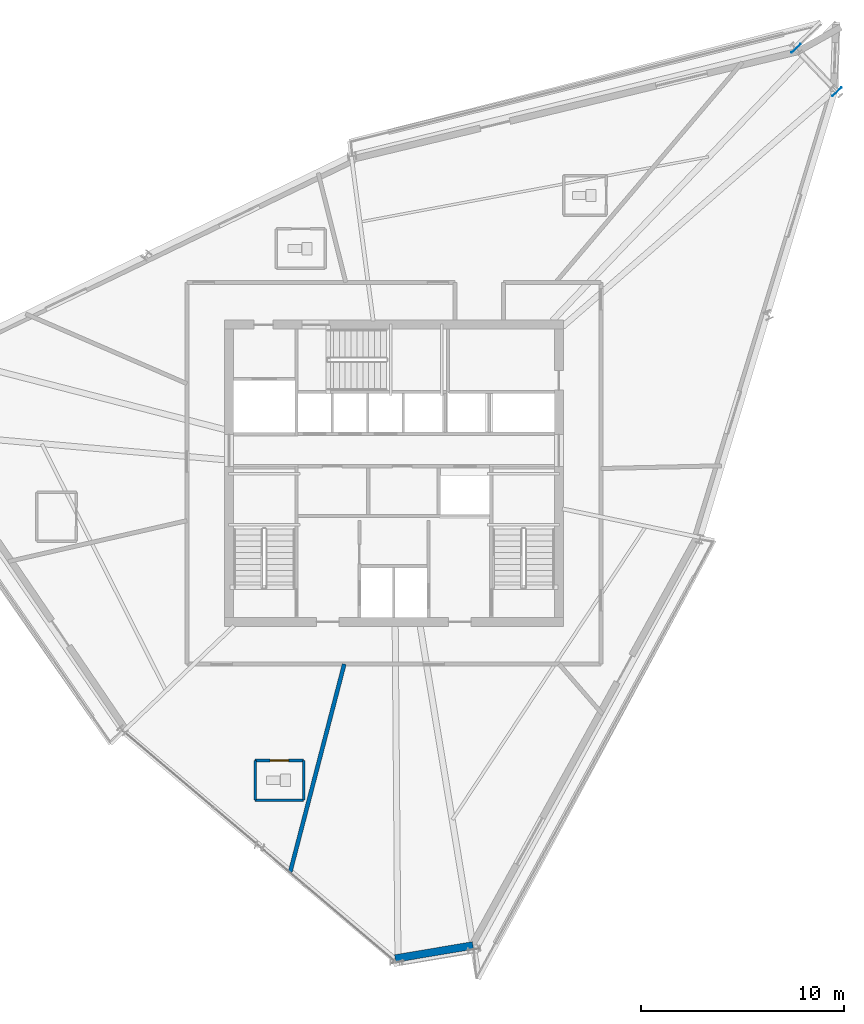
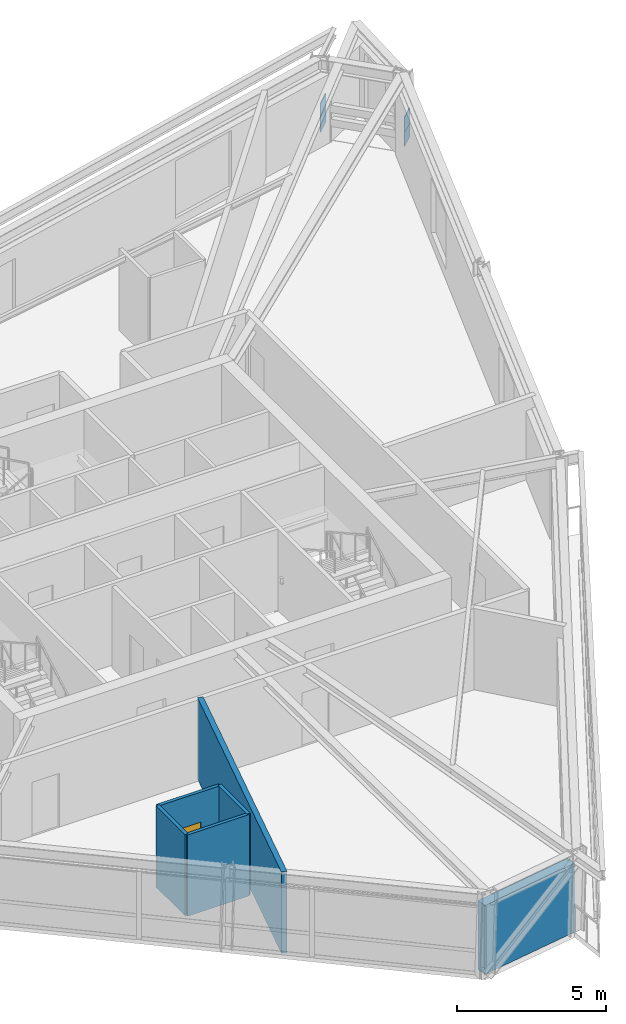
# One storey, part 7 of 15: 6 walls, 4 plates, 1 door, 1 opening.
"""IFC4 building model written with IfcOpenShell, lengths in metres."""

from ifc_helpers import new_model, si_unit, direction, frame, frame_2d, origin, origin_2d, place, context, subcontext, project, spatial, rectangle, extrude, source, transform, mapped, material, layer, layer_set, type_object, type_shapes, element, fill, save


model = new_model("IFC4")

# Units and contexts
model_context = context("Model", 3, precision=1e-05, world=origin(), true_north=direction((0.0, 1.0)))
body_context = subcontext(model_context, "Body", "Model", "MODEL_VIEW")
ifc_project = project(units=[si_unit("LENGTHUNIT", "METRE"), si_unit("AREAUNIT", "SQUARE_METRE"), si_unit("VOLUMEUNIT", "CUBIC_METRE"), si_unit("PLANEANGLEUNIT", "RADIAN"), si_unit("MASSUNIT", "GRAM", prefix="KILO")], contexts=[model_context])

# Site, building, storey
site_placement = place(None, origin())
site = spatial("IfcSite", under=ifc_project, at=site_placement, CompositionType="ELEMENT")
building_placement = place(site_placement, origin())
building = spatial("IfcBuilding", under=site, at=building_placement, Name="Olszyna Solenne Hotel", CompositionType="ELEMENT")
storey_placement = place(building_placement, frame((0.0, 0.0, 213.14990234375)))
storey = spatial("IfcBuildingStorey", under=building, at=storey_placement, Name="L56", CompositionType="ELEMENT", Elevation=213.14990234375)

# Plates
ifc_material_1 = material(Name="Steel S460M", Category="steel")
plate_type = type_object("IfcPlateType", Name="GP-CAP2", PredefinedType="USERDEFINED", material=ifc_material_1)
shared_shape_1 = source(origin(), body_context, "Body", "SweptSolid", [
    extrude(rectangle(XDim=0.030029296875, YDim=0.6201171875, at=origin_2d()), origin(), (0.0, 0.0, 1.0), 0.6201171875),
])
for number, where, z_axis, x_axis, name in (
    (1, (59.8310546875, 45.397216796875, 1.0400390625), (0.0, 0.0, 1.0), (-0.686453193248, 0.727173991201, 0.0), "Hollow section end-cap plate GP-CAP2 CP-PR-M-L56-PR1-1"),
    (2, (57.814208984375, 47.533447265625, 1.0400390625), (0.0, 0.0, 1.0), (-0.686453193248, 0.727173991201, 0.0), "Hollow section end-cap plate GP-CAP2 CP-PR-M-L56-PR1-2"),
    (3, (59.8310546875, 45.397216796875, 0.469970703125), (0.0, 0.0, 1.0), (-0.686453193248, 0.727173991201, 0.0), "Hollow section end-cap plate GP-CAP2 CP-PR-M-L56-PR2-1"),
    (4, (57.814208984375, 47.533447265625, 0.469970703125), (0.0, 0.0, 1.0), (-0.686453193248, 0.727173991201, 0.0), "Hollow section end-cap plate GP-CAP2 CP-PR-M-L56-PR2-2"),
):
    element("IfcPlate", number, at=place(storey_placement, frame(where, z_axis=z_axis, x_axis=x_axis)), inside=storey, type_object=plate_type, Name=name, ObjectType="GUSSET_PLATE", PredefinedType="USERDEFINED", context=body_context, shape_type="MappedRepresentation", body=[
        mapped(shared_shape_1, transform((0.0, 0.0, 0.0), x_axis=(1.0, 0.0, 0.0), y_axis=(0.0, 1.0, 0.0), z_axis=(0.0, 0.0, 1.0), scale=1.0)),
    ])

# Walls
ifc_material_2 = material(Name="Terracotta cladding on precast concrete C45/55", Category="masonry")
ifc_layer_1 = layer(ifc_material_2, 0.3798828125, Name="Terracotta cladding on precast concrete C45/55")
ifc_layer_set_1 = layer_set([ifc_layer_1], Name="Terracotta cladding on precast concrete C45/55")
wall_type_1 = type_object("IfcWallType", Name="WL-EX380", PredefinedType="SOLIDWALL", material=ifc_layer_set_1)
wall_1_placement = place(storey_placement, frame((41.89208984375, 3.330810546875, 0.0), z_axis=(0.0, 0.0, 1.0), x_axis=(-0.986279808066, -0.165082222545, 0.0)))
element("IfcWall", 5, at=wall_1_placement, inside=storey, type_object=wall_type_1, Name="Exterior terracotta-precast frame wall WL-EX380 EW-L56-02", PredefinedType="SOLIDWALL", context=body_context, shape_type="SweptSolid", body=[
    extrude(rectangle(XDim=3.882080078125, YDim=0.3798828125, at=frame_2d((1.94091796875, 0.0))), origin(), (0.0, 0.0, 1.0), 2.822021484375),
])
ifc_material_3 = material(Name="Acoustic gypsum partition", Category="gypsum")
ifc_layer_2 = layer(ifc_material_3, 0.125, Name="Acoustic gypsum partition")
ifc_layer_set_2 = layer_set([ifc_layer_2], Name="Acoustic gypsum partition")
wall_type_2 = type_object("IfcWallType", Name="WL-PT125", PredefinedType="PARTITIONING", material=ifc_layer_set_2)
wall_2_placement = place(storey_placement, frame((33.556884765625, 10.4970703125, 0.0), z_axis=(0.0, 0.0, 1.0), x_axis=(0.0, 1.0, 0.0)))
element("IfcWall", 6, at=wall_2_placement, inside=storey, type_object=wall_type_2, Name="Interior acoustic partition WL-PT125 PW-L56-3121", PredefinedType="PARTITIONING", context=body_context, shape_type="SweptSolid", body=[
    extrude(rectangle(XDim=1.949951171875, YDim=0.125, at=frame_2d((0.97509765625, 0.0))), origin(), (0.0, 0.0, 1.0), 3.330078125),
])

# Wall, opening, door
wall_3_placement = place(storey_placement, frame((33.556884765625, 12.447021484375, 0.0), z_axis=(0.0, 0.0, 1.0), x_axis=(-1.0, 0.0, 0.0)))
wall_3 = element("IfcWall", 7, at=wall_3_placement, inside=storey, type_object=wall_type_2, Name="Interior acoustic partition WL-PT125 PW-L56-3122", PredefinedType="PARTITIONING", context=body_context, shape_type="SweptSolid", body=[
    extrude(rectangle(XDim=2.39990234375, YDim=0.125, at=frame_2d((1.199951171875, 0.0))), origin(), (0.0, 0.0, 1.0), 3.330078125),
])
opening_placement = place(wall_3_placement, frame((0.75, 0.0, 0.0)))
opening = element("IfcOpeningElement", 8, at=opening_placement, cuts=wall_3, Name="Opening DR-L56-0756", PredefinedType="OPENING", context=body_context, shape_type="SweptSolid", body=[
    extrude(rectangle(XDim=0.89990234375, YDim=2.10009765625, at=frame_2d((0.449951171875, 1.050048828125))), frame((0.0, 0.072509765625, 0.0), z_axis=(0.0, -1.0, 0.0), x_axis=(1.0, 0.0, 0.0)), (0.0, 0.0, 1.0), 0.14501953125),
])
ifc_material_4 = material(Name="Timber hardwood", Category="wood")
door_type = type_object("IfcDoorType", Name="DR-WC1", OperationType="NOTDEFINED", PredefinedType="DOOR", material=ifc_material_4)
shared_shape_2 = source(origin(), body_context, "Body", "SweptSolid", [
    extrude(rectangle(XDim=0.89990234375, YDim=2.10009765625, at=frame_2d((0.449951171875, 1.050048828125))), frame((0.0, 0.02490234375, 0.0), z_axis=(0.0, -1.0, 0.0), x_axis=(1.0, 0.0, 0.0)), (0.0, 0.0, 1.0), 0.050048828125),
])
type_shapes(door_type, [shared_shape_2])
door_placement = place(opening_placement, origin())
door = element("IfcDoor", 9, at=door_placement, inside=storey, type_object=door_type, Name="En-Suite Bathroom Door DR-L56-0756", OperationType="SINGLE_SWING_RIGHT", OverallHeight=2.10009765625, OverallWidth=0.89990234375, PredefinedType="DOOR", context=body_context, shape_type="MappedRepresentation", body=[
    mapped(shared_shape_2, transform((0.0, 0.0, 0.0), x_axis=(1.0, 0.0, 0.0), y_axis=(0.0, 1.0, 0.0), z_axis=(0.0, 0.0, 1.0), scale=1.0)),
])
fill(opening, door)

# Walls
wall_4_placement = place(storey_placement, frame((31.156982421875, 12.447021484375, 0.0), z_axis=(0.0, 0.0, 1.0), x_axis=(0.0, -1.0, 0.0)))
element("IfcWall", 10, at=wall_4_placement, inside=storey, type_object=wall_type_2, Name="Interior acoustic partition WL-PT125 PW-L56-3123", PredefinedType="PARTITIONING", context=body_context, shape_type="SweptSolid", body=[
    extrude(rectangle(XDim=1.949951171875, YDim=0.125, at=frame_2d((0.97509765625, 0.0))), origin(), (0.0, 0.0, 1.0), 3.330078125),
])
wall_5_placement = place(storey_placement, frame((31.156982421875, 10.4970703125, 0.0), z_axis=(0.0, 0.0, 1.0), x_axis=(1.0, 0.0, 0.0)))
element("IfcWall", 11, at=wall_5_placement, inside=storey, type_object=wall_type_2, Name="Interior acoustic partition WL-PT125 PW-L56-3124", PredefinedType="PARTITIONING", context=body_context, shape_type="SweptSolid", body=[
    extrude(rectangle(XDim=2.39990234375, YDim=0.125, at=frame_2d((1.199951171875, 0.0))), origin(), (0.0, 0.0, 1.0), 3.330078125),
])
ifc_layer_3 = layer(ifc_material_3, 0.199951171875, Name="Acoustic gypsum partition")
ifc_layer_set_3 = layer_set([ifc_layer_3], Name="Acoustic gypsum partition")
wall_type_3 = type_object("IfcWallType", Name="WL-PT200", PredefinedType="PARTITIONING", material=ifc_layer_set_3)
wall_6_placement = place(storey_placement, frame((35.55517578125, 17.199951171875, 0.0), z_axis=(0.0, 0.0, 1.0), x_axis=(-0.25170817738, -0.967803179081, 0.0)))
element("IfcWall", 12, at=wall_6_placement, inside=storey, type_object=wall_type_3, Name="Interior acoustic partition WL-PT200 PW-L56-3115", PredefinedType="PARTITIONING", context=body_context, shape_type="SweptSolid", body=[
    extrude(rectangle(XDim=10.583984375, YDim=0.199951171875, at=frame_2d((5.2919921875, 0.0))), origin(), (0.0, 0.0, 1.0), 3.330078125),
])

save(model, "model.ifc")
